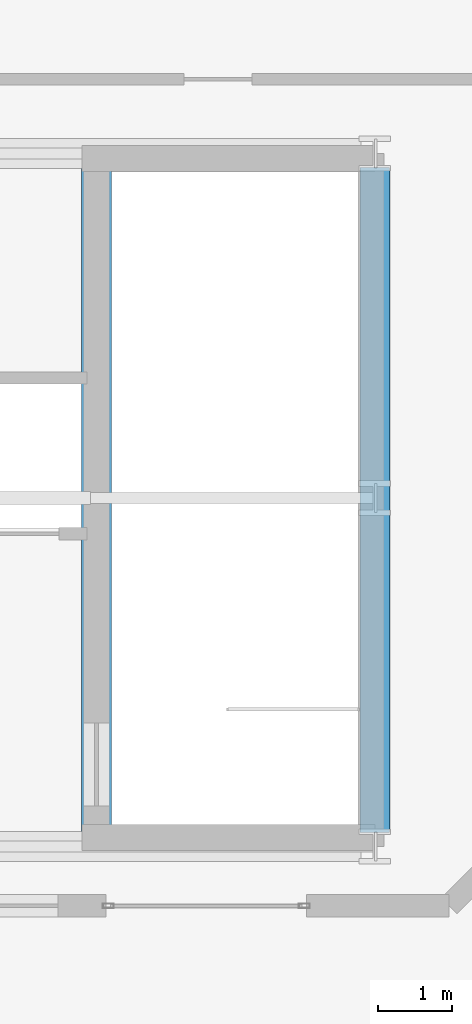
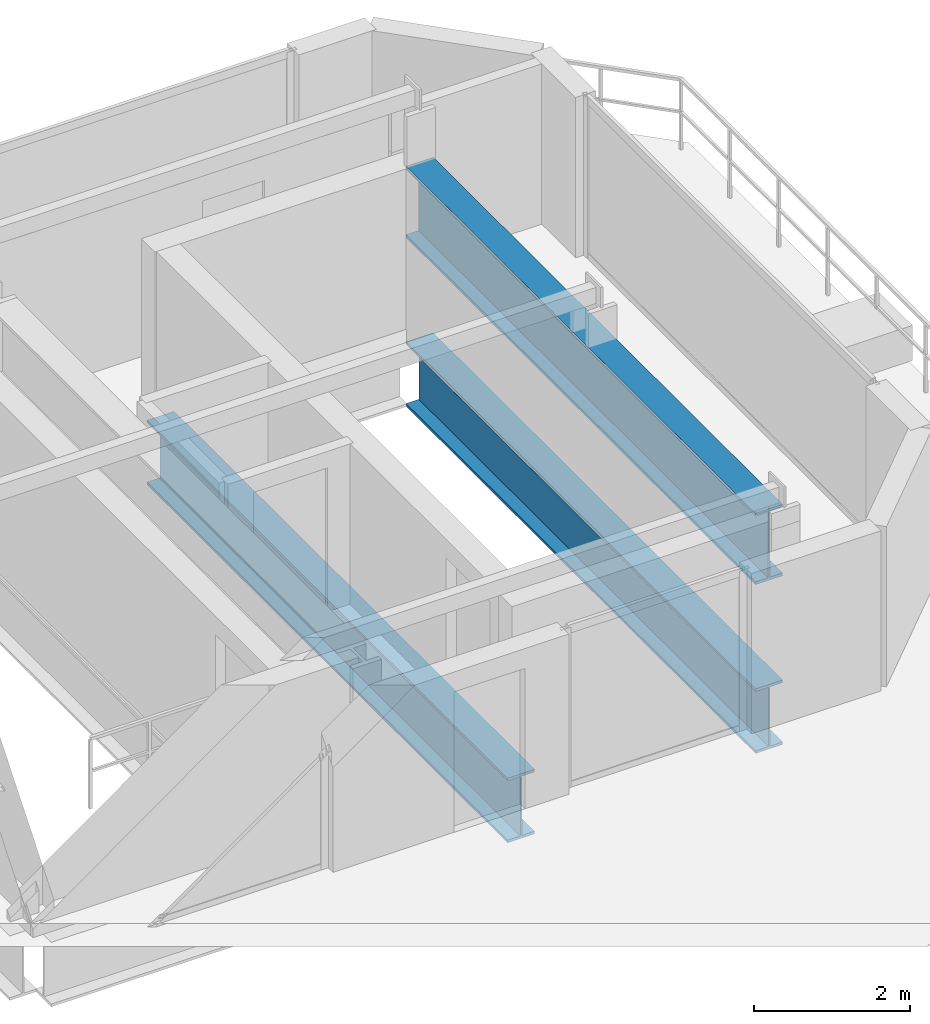
# One storey, part 4 of 9: 3 beams.
"""IFC4 building model written with IfcOpenShell, lengths in metres."""

from ifc_helpers import new_model, si_unit, direction, frame, origin, origin_2d, place, context, subcontext, project, spatial, i_section, extrude, material, material_profile, profile_set, type_object, element, save


model = new_model("IFC4")

# Units and contexts
model_context = context("Model", 3, precision=1e-05, world=origin(), true_north=direction((0.0, 1.0)))
body_context = subcontext(model_context, "Body", "Model", "MODEL_VIEW")
ifc_project = project(units=[si_unit("LENGTHUNIT", "METRE"), si_unit("AREAUNIT", "SQUARE_METRE"), si_unit("VOLUMEUNIT", "CUBIC_METRE"), si_unit("PLANEANGLEUNIT", "RADIAN"), si_unit("MASSUNIT", "GRAM", prefix="KILO")], contexts=[model_context])

# Site, building, storey
site_placement = place(None, origin())
site = spatial("IfcSite", under=ifc_project, at=site_placement, CompositionType="ELEMENT")
building_placement = place(site_placement, origin())
building = spatial("IfcBuilding", under=site, at=building_placement, Name="Zuhayl Quay Hotel", CompositionType="ELEMENT")
storey_placement = place(building_placement, frame((0.0, 0.0, 316.25)))
storey = spatial("IfcBuildingStorey", under=building, at=storey_placement, Name="Crown 6", CompositionType="ELEMENT", Elevation=316.25)

# Beams
ifc_material_1 = material(Name="Steel ASTM A913 Grade 65", Category="steel")
ifc_material_profile_1 = material_profile(ifc_material_1, i_section(OverallWidth=0.404052734375, OverallDepth=1.117919921875, WebThickness=0.026123046875, FlangeThickness=0.044921875, at=origin_2d()), Name="W44X335")
ifc_profile_set_1 = profile_set([ifc_material_profile_1], Name="Steel ASTM A913 Grade 65")
beam_type_1 = type_object("IfcBeamType", Name="BM_TG1_W44X335", PredefinedType="BEAM", material=ifc_profile_set_1)
beam_1_placement = place(storey_placement, frame((1.60009765625, 25.2900390625, 1.950927734375), z_axis=(0.0, 1.0, 0.0), x_axis=(-1.0, 0.0, 0.0)))
element("IfcBeam", 1, at=beam_1_placement, inside=storey, type_object=beam_type_1, Name="Crown 6 Top Deck Girder 3", PredefinedType="BEAM", context=body_context, shape_type="SweptSolid", body=[
    extrude(i_section(OverallWidth=0.404052734375, OverallDepth=1.117919921875, WebThickness=0.026123046875, FlangeThickness=0.044921875, at=origin_2d()), origin(), (0.0, 0.0, 1.0), 8.969970703125),
])
ifc_material_2 = material(Name="Steel ASTM A992 Grade 50", Category="steel")
ifc_material_profile_2 = material_profile(ifc_material_2, i_section(OverallWidth=0.40087890625, OverallDepth=1.010986328125, WebThickness=0.023681640625, FlangeThickness=0.0419921875, at=origin_2d()), Name="W40X297")
ifc_profile_set_2 = profile_set([ifc_material_profile_2], Name="Steel ASTM A992 Grade 50")
beam_type_2 = type_object("IfcBeamType", Name="BM_TG2_W40X297", PredefinedType="BEAM", material=ifc_profile_set_2)
beam_2_placement = place(storey_placement, frame((1.60009765625, 25.2900390625, -0.74560546875), z_axis=(0.0, 1.0, 0.0), x_axis=(-1.0, 0.0, 0.0)))
element("IfcBeam", 2, at=beam_2_placement, inside=storey, type_object=beam_type_2, Name="Crown 6 Floor Beam CR_NS_6_3", PredefinedType="BEAM", context=body_context, shape_type="SweptSolid", body=[
    extrude(i_section(OverallWidth=0.40087890625, OverallDepth=1.010986328125, WebThickness=0.023681640625, FlangeThickness=0.0419921875, at=origin_2d()), origin(), (0.0, 0.0, 1.0), 8.969970703125),
])
beam_3_placement = place(storey_placement, frame((-2.155029296875, 25.14990234375, -0.74560546875), z_axis=(0.0, 1.0, 0.0), x_axis=(-1.0, 0.0, 0.0)))
element("IfcBeam", 3, at=beam_3_placement, inside=storey, type_object=beam_type_2, Name="Crown 6 Floor Beam CR_ST6_W_6", PredefinedType="BEAM", context=body_context, shape_type="SweptSolid", body=[
    extrude(i_section(OverallWidth=0.40087890625, OverallDepth=1.010986328125, WebThickness=0.023681640625, FlangeThickness=0.0419921875, at=origin_2d()), origin(), (0.0, 0.0, 1.0), 9.25),
])

save(model, "model.ifc")
